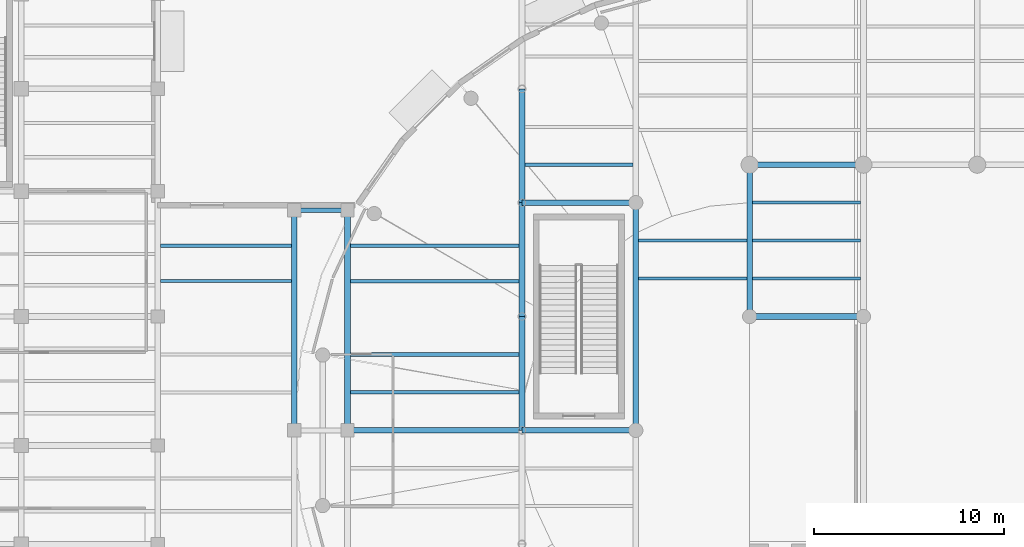
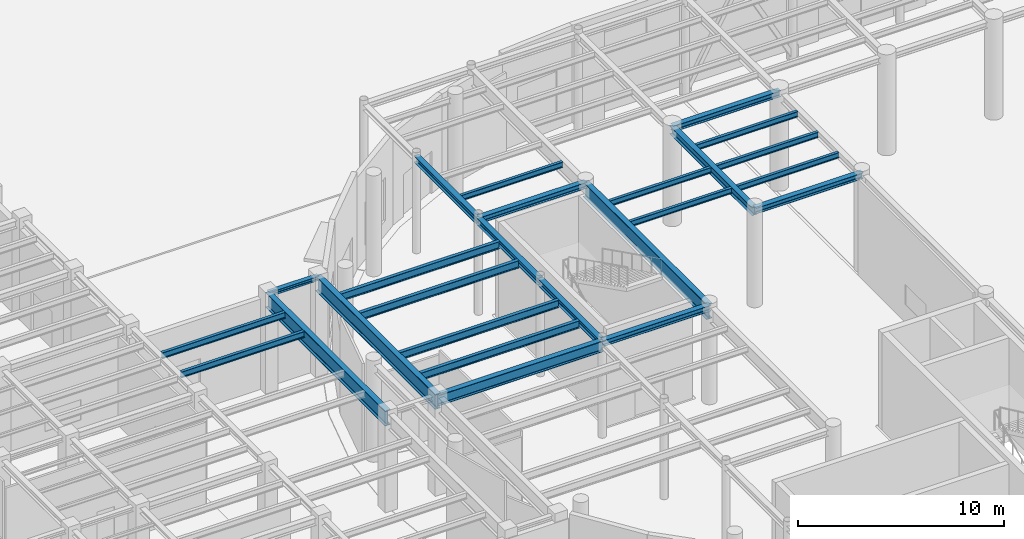
# One storey, part 21 of 118: 25 beams.
"""IFC4 building model written with IfcOpenShell, lengths in metres."""

import ifcopenshell
import ifcopenshell.guid

model = None  # the IFC model being written
_history = None  # IfcOwnerHistory: only IFC2X3 demands one
_inside = {}  # id of a spatial element -> (the spatial element, [elements in it])
_under = {}  # id of a project, library or spatial element -> (it, [spatial elements below it])
_declared = {}  # id of a project -> (the project, [libraries it declares])
_typed = {}  # id of a type object -> (the type object, [elements of that type])
_made_of = {}  # id of a material, layer set ... -> (it, [elements and type objects made of it])


def new_model(schema):
    """Start an empty IFC model of exactly this schema.

    Asked for "IFC4X3", IfcOpenShell would pick the latest addendum, in which some entities
    have other attributes; the version numbers below select the first issue.
    IFC2X3 requires an IfcOwnerHistory on every rooted entity: one is made here for all.
    """
    global model, _history
    if schema == "IFC4X3":
        model = ifcopenshell.file(schema_version=(4, 3, 0, 0))
    else:
        model = ifcopenshell.file(schema=schema)
    _inside.clear()
    _under.clear()
    _declared.clear()
    _typed.clear()
    _made_of.clear()
    _history = None
    if model.schema == "IFC2X3":
        org = make("IfcOrganization", Name="unknown")
        user = make(
            "IfcPersonAndOrganization",
            ThePerson=make("IfcPerson", FamilyName="unknown"),
            TheOrganization=org,
        )
        app = make(
            "IfcApplication",
            ApplicationDeveloper=org,
            Version="unknown",
            ApplicationFullName="unknown",
            ApplicationIdentifier="unknown",
        )
        _history = make(
            "IfcOwnerHistory",
            OwningUser=user,
            OwningApplication=app,
            ChangeAction="ADDED",
            CreationDate=0,
        )
    return model


def make(cls, **values):
    """One entity of the class cls with the attributes given. An attribute that is None is left unset."""
    return model.create_entity(
        cls, **{name: value for name, value in values.items() if value is not None}
    )


def rooted(cls, **values):
    """An entity with a GlobalId (a new one), such as an element, a storey or a relation."""
    return make(cls, GlobalId=ifcopenshell.guid.new(), OwnerHistory=_history, **values)


def si_unit(unit_type, name, prefix=None):
    """IfcSIUnit, for example si_unit("LENGTHUNIT", "METRE", prefix="MILLI")."""
    return make("IfcSIUnit", UnitType=unit_type, Prefix=prefix, Name=name)


def assignment(units):
    """IfcUnitAssignment: the units of a project."""
    return None if units is None else make("IfcUnitAssignment", Units=units)


def point(xyz):
    """IfcCartesianPoint."""
    return None if xyz is None else make("IfcCartesianPoint", Coordinates=xyz)


def direction(xyz):
    """IfcDirection."""
    return None if xyz is None else make("IfcDirection", DirectionRatios=xyz)


def frame(location, z_axis=None, x_axis=None):
    """IfcAxis2Placement3D, a coordinate frame: its origin and axes. An axis left out is left unset."""
    return make(
        "IfcAxis2Placement3D",
        Location=point(location),
        Axis=direction(z_axis),
        RefDirection=direction(x_axis),
    )


def frame_2d(location, x_axis=None):
    """IfcAxis2Placement2D, a coordinate frame in the plane: its origin and x axis."""
    return make(
        "IfcAxis2Placement2D", Location=point(location), RefDirection=direction(x_axis)
    )


def origin():
    """The frame at (0, 0, 0) with its axes left unset."""
    return frame((0.0, 0.0, 0.0))


def origin_2d():
    """The frame at (0, 0) in the plane with its x axis left unset."""
    return frame_2d((0.0, 0.0))


def place(relative_to, where):
    """IfcLocalPlacement: puts the frame where relative to a parent placement (None: the world)."""
    return make(
        "IfcLocalPlacement", PlacementRelTo=relative_to, RelativePlacement=where
    )


def context(
    kind, dimensions, precision=None, world=None, true_north=None, identifier=None
):
    """IfcGeometricRepresentationContext, for example the 3D "Model" context."""
    return make(
        "IfcGeometricRepresentationContext",
        ContextIdentifier=identifier,
        ContextType=kind,
        CoordinateSpaceDimension=dimensions,
        Precision=precision,
        WorldCoordinateSystem=world,
        TrueNorth=true_north,
    )


def subcontext(parent, identifier, kind, view, scale=None):
    """IfcGeometricRepresentationSubContext, for example "Body" below "Model"."""
    return make(
        "IfcGeometricRepresentationSubContext",
        ContextIdentifier=identifier,
        ContextType=kind,
        ParentContext=parent,
        TargetScale=scale,
        TargetView=view,
    )


def project(units=None, contexts=None):
    """IfcProject with its units and contexts."""
    return rooted(
        "IfcProject",
        Name="project",
        RepresentationContexts=contexts,
        UnitsInContext=assignment(units),
    )


def spatial(cls, under=None, at=None, **own):
    """A site, building, storey or space (cls), placed at a placement, below another one or the project."""
    s = rooted(cls, ObjectPlacement=at, **own)
    if under is not None:
        _under.setdefault(under.id(), (under, []))[1].append(s)
    return s


def profile(cls, at=None, kind="AREA", **sizes):
    """A parametric profile (cls). Its sizes go by their IFC names, for example OverallWidth=200.0."""
    return make(cls, ProfileType=kind, Position=at, **sizes)


def i_section(**sizes):
    """IfcIShapeProfileDef."""
    return profile("IfcIShapeProfileDef", **sizes)


def extrude(swept, where, along, depth):
    """IfcExtrudedAreaSolid: the profile swept, set in the frame where, extruded along a direction by depth."""
    return make(
        "IfcExtrudedAreaSolid",
        SweptArea=swept,
        Position=where,
        ExtrudedDirection=direction(along),
        Depth=depth,
    )


def shape(context_of_items, identifier, shape_type, items):
    """IfcShapeRepresentation: the items that make up one representation, for example the "Body"."""
    return make(
        "IfcShapeRepresentation",
        ContextOfItems=context_of_items,
        RepresentationIdentifier=identifier,
        RepresentationType=shape_type,
        Items=items,
    )


def material(Name=None, Category=None):
    """IfcMaterial."""
    return make("IfcMaterial", Name=Name, Category=Category)


def material_profile(
    of_material, cross_section, Name=None, Category=None, Priority=None
):
    """IfcMaterialProfile: a cross section and its material."""
    return make(
        "IfcMaterialProfile",
        Name=Name,
        Material=of_material,
        Profile=cross_section,
        Priority=Priority,
        Category=Category,
    )


def profile_set(profiles, Name=None, composite=None):
    """IfcMaterialProfileSet."""
    return make(
        "IfcMaterialProfileSet",
        Name=Name,
        MaterialProfiles=profiles,
        CompositeProfile=composite,
    )


def made_of(thing, what):
    """Note that an element or type object is made of a material, layer set ...; save() writes the relation."""
    if what is not None:
        _made_of.setdefault(what.id(), (what, []))[1].append(thing)
    return thing


def type_object(cls, material=None, **own):
    """A type object (cls), such as IfcWallType, which elements share."""
    return made_of(rooted(cls, **own), material)


def element(
    cls,
    number,
    at=None,
    inside=None,
    cuts=None,
    type_object=None,
    material=None,
    context=None,
    identifier="Body",
    shape_type=None,
    held_by="IfcProductDefinitionShape",
    body=None,
    shapes=None,
    **own,
):
    """One element of the class cls, such as IfcWall. Its Tag is "e" and its number.

    at: its placement. inside: the storey or other place that contains it. cuts: it is an
    opening in that element (IfcRelVoidsElement). A single representation is given by context,
    identifier, shape_type and body (its items); several are given by shapes. held_by: the class
    of the entity that holds the representations. save() writes the other relations.
    """
    e = rooted(cls, Tag="e%d" % number, ObjectPlacement=at, **own)
    if body is not None:
        shapes = [shape(context, identifier, shape_type, body)]
    if shapes is not None:
        e.Representation = make(held_by, Representations=shapes)
    if inside is not None:
        _inside.setdefault(inside.id(), (inside, []))[1].append(e)
    if cuts is not None:
        rooted(
            "IfcRelVoidsElement", RelatingBuildingElement=cuts, RelatedOpeningElement=e
        )
    if type_object is not None:
        _typed.setdefault(type_object.id(), (type_object, []))[1].append(e)
    return made_of(e, material)


def aggregate(whole, parts):
    """IfcRelAggregates: a whole, such as a stair, and the parts it consists of."""
    return rooted("IfcRelAggregates", RelatingObject=whole, RelatedObjects=parts)


def save(model, path):
    """Write the relations noted so far, then the file.

    IfcRelAggregates (storeys below a building ...), IfcRelContainedInSpatialStructure (elements
    in a storey), IfcRelDefinesByType, IfcRelAssociatesMaterial and IfcRelDeclares: one each for
    every whole, place, type object, material and project.
    """
    for whole, parts in _under.values():
        aggregate(whole, parts)
    for where, things in _inside.values():
        rooted(
            "IfcRelContainedInSpatialStructure",
            RelatedElements=things,
            RelatingStructure=where,
        )
    for kind, things in _typed.values():
        rooted("IfcRelDefinesByType", RelatedObjects=things, RelatingType=kind)
    for what, things in _made_of.values():
        rooted("IfcRelAssociatesMaterial", RelatedObjects=things, RelatingMaterial=what)
    for by, libraries in _declared.values():
        rooted("IfcRelDeclares", RelatingContext=by, RelatedDefinitions=libraries)
    model.write(path)


model = new_model("IFC4")

# Units and contexts
model_context = context("Model", 3, precision=1e-05, world=origin(), true_north=direction((0.0, 1.0)))
body_context = subcontext(model_context, "Body", "Model", "MODEL_VIEW")
ifc_project = project(units=[si_unit("LENGTHUNIT", "METRE"), si_unit("AREAUNIT", "SQUARE_METRE"), si_unit("VOLUMEUNIT", "CUBIC_METRE"), si_unit("PLANEANGLEUNIT", "RADIAN"), si_unit("MASSUNIT", "GRAM", prefix="KILO")], contexts=[model_context])

# Site, building, storey
site_placement = place(None, origin())
site = spatial("IfcSite", under=ifc_project, at=site_placement, CompositionType="ELEMENT")
building_placement = place(site_placement, origin())
building = spatial("IfcBuilding", under=site, at=building_placement, Name="Kolvaren Corner Interchange", CompositionType="ELEMENT")
storey_placement = place(building_placement, origin())
storey = spatial("IfcBuildingStorey", under=building, at=storey_placement, Name="L01", CompositionType="ELEMENT", Elevation=0.0)

# Beams
ifc_material_1 = material(Name="Steel S355", Category="steel")
ifc_material_profile_1 = material_profile(ifc_material_1, i_section(OverallWidth=0.260009765625, OverallDepth=0.25, WebThickness=0.007568359375, FlangeThickness=0.012451171875, FilletRadius=0.02392578125, at=origin_2d()), Name="HEA 260")
ifc_profile_set_1 = profile_set([ifc_material_profile_1], Name="Steel S355")
beam_type_1 = type_object("IfcBeamType", Name="BM-HEA260", PredefinedType="BEAM", material=ifc_profile_set_1)
beam_1_placement = place(storey_placement, frame((36.0, 59.60009765625, 5.625), z_axis=(1.0, 0.0, 0.0), x_axis=(0.0, 1.0, 0.0)))
element("IfcBeam", 1, at=beam_1_placement, inside=storey, type_object=beam_type_1, Name="Storey L01 Grid X Primary Girder 0265", PredefinedType="BEAM", context=body_context, shape_type="SweptSolid", body=[
    extrude(i_section(OverallWidth=0.260009765625, OverallDepth=0.25, WebThickness=0.007568359375, FlangeThickness=0.012451171875, FilletRadius=0.02392578125, at=origin_2d()), origin(), (0.0, 0.0, 1.0), 2.800048828125),
])
ifc_material_2 = material(Name="Steel S355", Category="steel")
ifc_material_profile_2 = material_profile(ifc_material_2, i_section(OverallWidth=0.300048828125, OverallDepth=0.35009765625, WebThickness=0.010009765625, FlangeThickness=0.017578125, FilletRadius=0.027099609375, at=origin_2d()), Name="HEA 360")
ifc_profile_set_2 = profile_set([ifc_material_profile_2], Name="Steel S355")
beam_type_2 = type_object("IfcBeamType", Name="BM-HEA360", PredefinedType="BEAM", material=ifc_profile_set_2)
for number, where, z_axis, x_axis, name in (
    (2, (48.0, 48.0, 5.574951171875), (1.0, 0.0, 0.0), (0.0, 1.0, 0.0), "Storey L01 Grid X Primary Girder 0260"),
    (3, (60.0, 54.0, 5.574951171875), (1.0, 0.0, 0.0), (0.0, 1.0, 0.0), "Storey L01 Grid X Primary Girder 0264"),
    (4, (48.0, 60.0, 5.574951171875), (1.0, 0.0, 0.0), (0.0, 1.0, 0.0), "Storey L01 Grid X Primary Girder 0266"),
    (5, (60.0, 62.0, 5.574951171875), (1.0, 0.0, 0.0), (0.0, 1.0, 0.0), "Storey L01 Grid X Primary Girder 0270"),
):
    element("IfcBeam", number, at=place(storey_placement, frame(where, z_axis=z_axis, x_axis=x_axis)), inside=storey, type_object=beam_type_2, Name=name, PredefinedType="BEAM", context=body_context, shape_type="SweptSolid", body=[
        extrude(i_section(OverallWidth=0.300048828125, OverallDepth=0.35009765625, WebThickness=0.010009765625, FlangeThickness=0.017578125, FilletRadius=0.027099609375, at=origin_2d()), origin(), (0.0, 0.0, 1.0), 6.0),
    ])
ifc_material_3 = material(Name="Steel S355", Category="steel")
ifc_material_profile_3 = material_profile(ifc_material_3, i_section(OverallWidth=0.300048828125, OverallDepth=0.389892578125, WebThickness=0.010986328125, FlangeThickness=0.01904296875, FilletRadius=0.027099609375, at=origin_2d()), Name="HEA 400")
ifc_profile_set_3 = profile_set([ifc_material_profile_3], Name="Steel S355")
beam_type_3 = type_object("IfcBeamType", Name="BM-HEA400", PredefinedType="BEAM", material=ifc_profile_set_3)
for number, where, z_axis, x_axis, name in (
    (6, (48.0, 48.0, 5.554931640625), (0.0, 1.0, 0.0), (-1.0, 0.0, 0.0), "Storey L01 Grid Y Primary Girder 0337"),
    (7, (48.0, 54.0, 5.554931640625), (0.0, 1.0, 0.0), (-1.0, 0.0, 0.0), "Storey L01 Grid Y Primary Girder 0338"),
    (8, (48.0, 60.0, 5.554931640625), (0.0, 1.0, 0.0), (-1.0, 0.0, 0.0), "Storey L01 Grid Y Primary Girder 0339"),
):
    element("IfcBeam", number, at=place(storey_placement, frame(where, z_axis=z_axis, x_axis=x_axis)), inside=storey, type_object=beam_type_3, Name=name, PredefinedType="BEAM", context=body_context, shape_type="SweptSolid", body=[
        extrude(i_section(OverallWidth=0.300048828125, OverallDepth=0.389892578125, WebThickness=0.010986328125, FlangeThickness=0.01904296875, FilletRadius=0.027099609375, at=origin_2d()), origin(), (0.0, 0.0, 1.0), 6.0),
    ])
ifc_material_4 = material(Name="Steel S355", Category="steel")
ifc_material_profile_4 = material_profile(ifc_material_4, i_section(OverallWidth=0.300048828125, OverallDepth=0.489990234375, WebThickness=0.011962890625, FlangeThickness=0.02294921875, FilletRadius=0.027099609375, at=origin_2d()), Name="HEA 500")
ifc_profile_set_4 = profile_set([ifc_material_profile_4], Name="Steel S355")
beam_type_4 = type_object("IfcBeamType", Name="BM-HEA500", PredefinedType="BEAM", material=ifc_profile_set_4)
beam_2_placement = place(storey_placement, frame((60.0, 54.0, 5.5048828125), z_axis=(0.0, 1.0, 0.0), x_axis=(-1.0, 0.0, 0.0)))
element("IfcBeam", 9, at=beam_2_placement, inside=storey, type_object=beam_type_4, Name="Storey L01 Grid Y Primary Girder 0344", PredefinedType="BEAM", context=body_context, shape_type="SweptSolid", body=[
    extrude(i_section(OverallWidth=0.300048828125, OverallDepth=0.489990234375, WebThickness=0.011962890625, FlangeThickness=0.02294921875, FilletRadius=0.027099609375, at=origin_2d()), origin(), (0.0, 0.0, 1.0), 8.0),
])
ifc_material_5 = material(Name="Steel S355", Category="steel")
ifc_material_profile_5 = material_profile(ifc_material_5, i_section(OverallWidth=0.300048828125, OverallDepth=0.639892578125, WebThickness=0.013427734375, FlangeThickness=0.02587890625, FilletRadius=0.027099609375, at=origin_2d()), Name="HEA 650")
ifc_profile_set_5 = profile_set([ifc_material_profile_5], Name="Steel S355")
beam_type_5 = type_object("IfcBeamType", Name="BM-HEA650", PredefinedType="BEAM", material=ifc_profile_set_5)
beam_3_placement = place(storey_placement, frame((38.800048828125, 48.0, 5.429931640625), z_axis=(1.0, 0.0, 0.0), x_axis=(0.0, 1.0, 0.0)))
element("IfcBeam", 10, at=beam_3_placement, inside=storey, type_object=beam_type_5, Name="Storey L01 Grid X Primary Girder 0259", PredefinedType="BEAM", context=body_context, shape_type="SweptSolid", body=[
    extrude(i_section(OverallWidth=0.300048828125, OverallDepth=0.639892578125, WebThickness=0.013427734375, FlangeThickness=0.02587890625, FilletRadius=0.027099609375, at=origin_2d()), origin(), (0.0, 0.0, 1.0), 9.199951171875),
])
ifc_material_6 = material(Name="Steel S355", Category="steel")
ifc_material_profile_6 = material_profile(ifc_material_6, i_section(OverallWidth=0.300048828125, OverallDepth=0.89990234375, WebThickness=0.0185546875, FlangeThickness=0.034912109375, FilletRadius=0.030029296875, at=origin_2d()), Name="HEB 900")
ifc_profile_set_6 = profile_set([ifc_material_profile_6], Name="Steel S355")
beam_type_6 = type_object("IfcBeamType", Name="BM-HEB900", PredefinedType="BEAM", material=ifc_profile_set_6)
for number, where, z_axis, x_axis, name in (
    (11, (36.0, 48.0, 5.300048828125), (0.0, 1.0, 0.0), (-1.0, 0.0, 0.0), "Storey L01 Grid Y Primary Girder 0329"),
    (12, (38.800048828125, 48.0, 5.300048828125), (0.0, 1.0, 0.0), (-1.0, 0.0, 0.0), "Storey L01 Grid Y Primary Girder 0332"),
):
    element("IfcBeam", number, at=place(storey_placement, frame(where, z_axis=z_axis, x_axis=x_axis)), inside=storey, type_object=beam_type_6, Name=name, PredefinedType="BEAM", context=body_context, shape_type="SweptSolid", body=[
        extrude(i_section(OverallWidth=0.300048828125, OverallDepth=0.89990234375, WebThickness=0.0185546875, FlangeThickness=0.034912109375, FilletRadius=0.030029296875, at=origin_2d()), origin(), (0.0, 0.0, 1.0), 11.60009765625),
    ])
beam_4_placement = place(storey_placement, frame((54.0, 48.0, 5.300048828125), z_axis=(0.0, 1.0, 0.0), x_axis=(-1.0, 0.0, 0.0)))
element("IfcBeam", 13, at=beam_4_placement, inside=storey, type_object=beam_type_6, Name="Storey L01 Grid Y Primary Girder 0342", PredefinedType="BEAM", context=body_context, shape_type="SweptSolid", body=[
    extrude(i_section(OverallWidth=0.300048828125, OverallDepth=0.89990234375, WebThickness=0.0185546875, FlangeThickness=0.034912109375, FilletRadius=0.030029296875, at=origin_2d()), origin(), (0.0, 0.0, 1.0), 12.0),
])
ifc_material_7 = material(Name="Steel S355", Category="steel")
ifc_material_profile_7 = material_profile(ifc_material_7, i_section(OverallWidth=0.159912109375, OverallDepth=0.330078125, WebThickness=0.007568359375, FlangeThickness=0.011474609375, FilletRadius=0.01806640625, at=origin_2d()), Name="IPE 330")
ifc_profile_set_7 = profile_set([ifc_material_profile_7], Name="Steel S355")
beam_type_7 = type_object("IfcBeamType", Name="JS-IPE330", PredefinedType="JOIST", material=ifc_profile_set_7)
for number, where, z_axis, x_axis, name in (
    (14, (48.14990234375, 62.0, 5.5849609375), (1.0, 0.0, 0.0), (0.0, 1.0, 0.0), "Storey L01 Composite Floor Joist 0312"),
    (15, (54.14990234375, 56.0, 5.5849609375), (1.0, 0.0, 0.0), (0.0, 1.0, 0.0), "Storey L01 Composite Floor Joist 0316"),
    (16, (54.14990234375, 58.0, 5.5849609375), (1.0, 0.0, 0.0), (0.0, 1.0, 0.0), "Storey L01 Composite Floor Joist 0317"),
    (17, (60.14990234375, 56.0, 5.5849609375), (1.0, 0.0, 0.0), (0.0, 1.0, 0.0), "Storey L01 Composite Floor Joist 0322"),
    (18, (60.14990234375, 58.0, 5.5849609375), (1.0, 0.0, 0.0), (0.0, 1.0, 0.0), "Storey L01 Composite Floor Joist 0323"),
    (19, (60.14990234375, 60.0, 5.5849609375), (1.0, 0.0, 0.0), (0.0, 1.0, 0.0), "Storey L01 Composite Floor Joist 0324"),
):
    element("IfcBeam", number, at=place(storey_placement, frame(where, z_axis=z_axis, x_axis=x_axis)), inside=storey, type_object=beam_type_7, Name=name, PredefinedType="JOIST", context=body_context, shape_type="SweptSolid", body=[
        extrude(i_section(OverallWidth=0.159912109375, OverallDepth=0.330078125, WebThickness=0.007568359375, FlangeThickness=0.011474609375, FilletRadius=0.01806640625, at=origin_2d()), origin(), (0.0, 0.0, 1.0), 5.7001953125),
    ])
ifc_material_8 = material(Name="Steel S355", Category="steel")
ifc_material_profile_8 = material_profile(ifc_material_8, i_section(OverallWidth=0.169921875, OverallDepth=0.360107421875, WebThickness=0.008056640625, FlangeThickness=0.0126953125, FilletRadius=0.01806640625, at=origin_2d()), Name="IPE 360")
ifc_profile_set_8 = profile_set([ifc_material_profile_8], Name="Steel S355")
beam_type_8 = type_object("IfcBeamType", Name="JS-IPE360", PredefinedType="JOIST", material=ifc_profile_set_8)
for number, where, z_axis, x_axis, name in (
    (20, (28.949951171875, 55.86669921875, 5.570068359375), (1.0, 0.0, 0.0), (0.0, 1.0, 0.0), "Storey L01 Composite Floor Joist 0298"),
    (21, (28.949951171875, 57.7333984375, 5.570068359375), (1.0, 0.0, 0.0), (0.0, 1.0, 0.0), "Storey L01 Composite Floor Joist 0299"),
):
    element("IfcBeam", number, at=place(storey_placement, frame(where, z_axis=z_axis, x_axis=x_axis)), inside=storey, type_object=beam_type_8, Name=name, PredefinedType="JOIST", context=body_context, shape_type="SweptSolid", body=[
        extrude(i_section(OverallWidth=0.169921875, OverallDepth=0.360107421875, WebThickness=0.008056640625, FlangeThickness=0.0126953125, FilletRadius=0.01806640625, at=origin_2d()), origin(), (0.0, 0.0, 1.0), 6.900146484375),
    ])
ifc_material_9 = material(Name="Steel S355", Category="steel")
ifc_material_profile_9 = material_profile(ifc_material_9, i_section(OverallWidth=0.18994140625, OverallDepth=0.449951171875, WebThickness=0.009521484375, FlangeThickness=0.0146484375, FilletRadius=0.02099609375, at=origin_2d()), Name="IPE 450")
ifc_profile_set_9 = profile_set([ifc_material_profile_9], Name="Steel S355")
beam_type_9 = type_object("IfcBeamType", Name="JS-IPE450", PredefinedType="JOIST", material=ifc_profile_set_9)
for number, where, z_axis, x_axis, name in (
    (22, (38.949951171875, 50.0, 5.52490234375), (1.0, 0.0, 0.0), (0.0, 1.0, 0.0), "Storey L01 Composite Floor Joist 0304"),
    (23, (38.949951171875, 52.0, 5.52490234375), (1.0, 0.0, 0.0), (0.0, 1.0, 0.0), "Storey L01 Composite Floor Joist 0305"),
    (24, (38.949951171875, 55.86669921875, 5.52490234375), (1.0, 0.0, 0.0), (0.0, 1.0, 0.0), "Storey L01 Composite Floor Joist 0306"),
    (25, (38.949951171875, 57.7333984375, 5.52490234375), (1.0, 0.0, 0.0), (0.0, 1.0, 0.0), "Storey L01 Composite Floor Joist 0307"),
):
    element("IfcBeam", number, at=place(storey_placement, frame(where, z_axis=z_axis, x_axis=x_axis)), inside=storey, type_object=beam_type_9, Name=name, PredefinedType="JOIST", context=body_context, shape_type="SweptSolid", body=[
        extrude(i_section(OverallWidth=0.18994140625, OverallDepth=0.449951171875, WebThickness=0.009521484375, FlangeThickness=0.0146484375, FilletRadius=0.02099609375, at=origin_2d()), origin(), (0.0, 0.0, 1.0), 8.900146484375),
    ])

save(model, "model.ifc")
